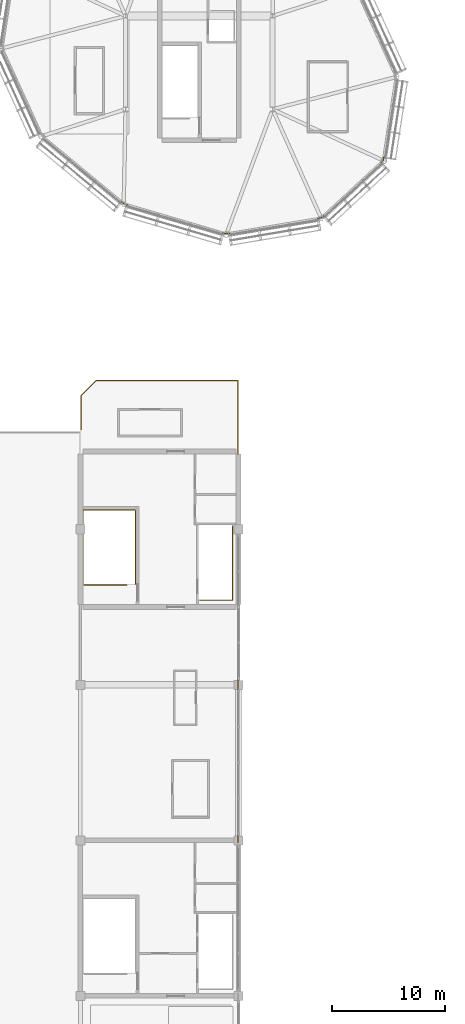
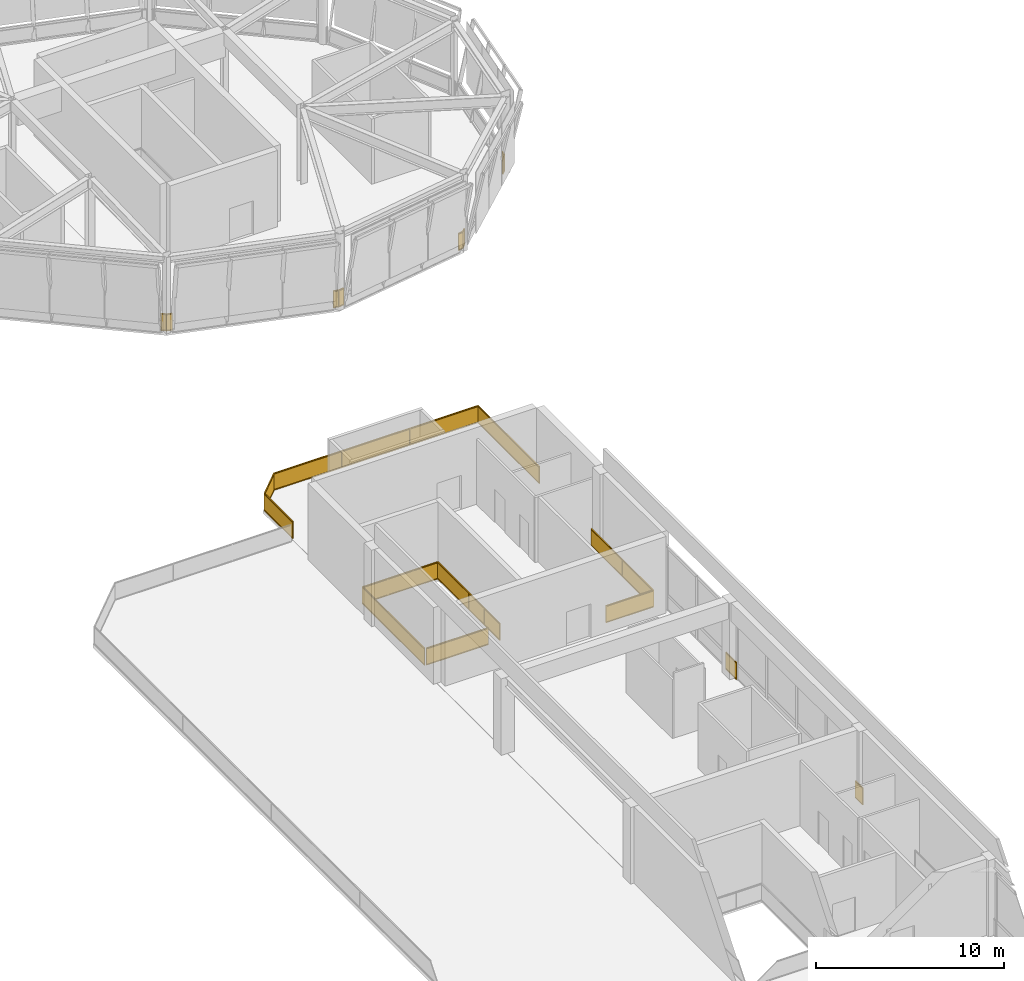
# One storey, part 108 of 113: 11 railings.
"""IFC4 building model written with IfcOpenShell, lengths in metres."""

from ifc_helpers import new_model, si_unit, direction, frame, origin, origin_2d, place, context, subcontext, project, spatial, rectangle, extrude, material, type_object, element, save


model = new_model("IFC4")

# Units and contexts
model_context = context("Model", 3, precision=1e-05, world=origin(), true_north=direction((0.0, 1.0)))
body_context = subcontext(model_context, "Body", "Model", "MODEL_VIEW")
ifc_project = project(units=[si_unit("LENGTHUNIT", "METRE"), si_unit("AREAUNIT", "SQUARE_METRE"), si_unit("VOLUMEUNIT", "CUBIC_METRE"), si_unit("PLANEANGLEUNIT", "RADIAN"), si_unit("MASSUNIT", "GRAM", prefix="KILO")], contexts=[model_context])

# Site, building, storey
site_placement = place(None, origin())
site = spatial("IfcSite", under=ifc_project, at=site_placement, CompositionType="ELEMENT")
building_placement = place(site_placement, origin())
building = spatial("IfcBuilding", under=site, at=building_placement, Name="Linyun Crest Stadium", CompositionType="ELEMENT")
storey_placement = place(building_placement, frame((0.0, 0.0, 26.39990234375)))
storey = spatial("IfcBuildingStorey", under=building, at=storey_placement, Name="L06", CompositionType="ELEMENT", Elevation=26.39990234375)

# Railings
ifc_material_1 = material(Name="Galvanized and powder-coated steel bowl safety barrier", Category="steel")
railing_type_1 = type_object("IfcRailingType", Name="GR02", PredefinedType="GUARDRAIL", material=ifc_material_1)
railing_1_placement = place(storey_placement, frame((-83.93994140625, 52.160888671875, 0.0)))
element("IfcRailing", 1, at=railing_1_placement, inside=storey, type_object=railing_type_1, Name="Slab edge balustrade GR02 88", PredefinedType="GUARDRAIL", context=body_context, shape_type="SweptSolid", body=[
    extrude(rectangle(XDim=0.06005859375, YDim=0.06005859375, at=origin_2d()), frame((0.0, 0.0, 1.090087890625), z_axis=(0.0, 1.0, 0.0), x_axis=(-1.0, 0.0, 0.0)), (0.0, 0.0, 1.0), 2.9990234375),
    extrude(rectangle(XDim=0.030029296875, YDim=1.0, at=origin_2d()), frame((0.0, 0.0, 0.56005859375), z_axis=(0.0, 1.0, 0.0), x_axis=(-1.0, 0.0, 0.0)), (0.0, 0.0, 1.0), 2.9990234375),
    extrude(rectangle(XDim=0.06005859375, YDim=0.06005859375, at=origin_2d()), frame((0.0, 0.0, 0.030029296875), z_axis=(0.0, 1.0, 0.0), x_axis=(-1.0, 0.0, 0.0)), (0.0, 0.0, 1.0), 2.9990234375),
    extrude(rectangle(XDim=0.06005859375, YDim=0.06005859375, at=origin_2d()), frame((0.0, 2.9990234375, 1.090087890625), z_axis=(0.707106781187, 0.707106781187, 0.0), x_axis=(-0.707106781187, 0.707106781187, 0.0)), (0.0, 0.0, 1.0), 1.930419921875),
    extrude(rectangle(XDim=0.030029296875, YDim=1.0, at=origin_2d()), frame((0.0, 2.9990234375, 0.56005859375), z_axis=(0.707106781187, 0.707106781187, 0.0), x_axis=(-0.707106781187, 0.707106781187, 0.0)), (0.0, 0.0, 1.0), 1.930419921875),
    extrude(rectangle(XDim=0.06005859375, YDim=0.06005859375, at=origin_2d()), frame((0.0, 2.9990234375, 0.030029296875), z_axis=(0.707106781187, 0.707106781187, 0.0), x_axis=(-0.707106781187, 0.707106781187, 0.0)), (0.0, 0.0, 1.0), 1.930419921875),
    extrude(rectangle(XDim=0.06005859375, YDim=0.06005859375, at=origin_2d()), frame((1.364990234375, 4.364013671875, 1.090087890625), z_axis=(1.0, 0.0, 0.0), x_axis=(0.0, 1.0, 0.0)), (0.0, 0.0, 1.0), 12.514892578125),
    extrude(rectangle(XDim=0.030029296875, YDim=1.0, at=origin_2d()), frame((1.364990234375, 4.364013671875, 0.56005859375), z_axis=(1.0, 0.0, 0.0), x_axis=(0.0, 1.0, 0.0)), (0.0, 0.0, 1.0), 12.514892578125),
    extrude(rectangle(XDim=0.06005859375, YDim=0.06005859375, at=origin_2d()), frame((1.364990234375, 4.364013671875, 0.030029296875), z_axis=(1.0, 0.0, 0.0), x_axis=(0.0, 1.0, 0.0)), (0.0, 0.0, 1.0), 12.514892578125),
    extrude(rectangle(XDim=0.06005859375, YDim=0.06005859375, at=origin_2d()), frame((13.8798828125, 4.364013671875, 1.090087890625), z_axis=(0.0, -1.0, 0.0), x_axis=(1.0, 0.0, 0.0)), (0.0, 0.0, 1.0), 6.5),
    extrude(rectangle(XDim=0.030029296875, YDim=1.0, at=origin_2d()), frame((13.8798828125, 4.364013671875, 0.56005859375), z_axis=(0.0, -1.0, 0.0), x_axis=(1.0, 0.0, 0.0)), (0.0, 0.0, 1.0), 6.5),
    extrude(rectangle(XDim=0.06005859375, YDim=0.06005859375, at=origin_2d()), frame((13.8798828125, 4.364013671875, 0.030029296875), z_axis=(0.0, -1.0, 0.0), x_axis=(1.0, 0.0, 0.0)), (0.0, 0.0, 1.0), 6.5),
    extrude(rectangle(XDim=0.050048828125, YDim=0.050048828125, at=origin_2d()), origin(), (0.0, 0.0, 1.0), 1.1201171875),
    extrude(rectangle(XDim=0.050048828125, YDim=0.050048828125, at=origin_2d()), frame((0.0, 2.9990234375, 0.0)), (0.0, 0.0, 1.0), 1.1201171875),
    extrude(rectangle(XDim=0.050048828125, YDim=0.050048828125, at=origin_2d()), frame((1.364990234375, 4.364013671875, 0.0)), (0.0, 0.0, 1.0), 1.1201171875),
    extrude(rectangle(XDim=0.050048828125, YDim=0.050048828125, at=origin_2d()), frame((5.53662109375, 4.364013671875, 0.0)), (0.0, 0.0, 1.0), 1.1201171875),
    extrude(rectangle(XDim=0.050048828125, YDim=0.050048828125, at=origin_2d()), frame((9.708251953125, 4.364013671875, 0.0)), (0.0, 0.0, 1.0), 1.1201171875),
    extrude(rectangle(XDim=0.050048828125, YDim=0.050048828125, at=origin_2d()), frame((13.8798828125, 4.364013671875, 0.0)), (0.0, 0.0, 1.0), 1.1201171875),
    extrude(rectangle(XDim=0.050048828125, YDim=0.050048828125, at=origin_2d()), frame((13.8798828125, 1.114013671875, 0.0)), (0.0, 0.0, 1.0), 1.1201171875),
    extrude(rectangle(XDim=0.050048828125, YDim=0.050048828125, at=origin_2d()), frame((13.8798828125, -2.135986328125, 0.0)), (0.0, 0.0, 1.0), 1.1201171875),
])
railing_2_placement = place(storey_placement, frame((-70.06005859375, 30.175048828125, 0.0)))
element("IfcRailing", 2, at=railing_2_placement, inside=storey, type_object=railing_type_1, Name="Slab edge balustrade GR02 89", PredefinedType="GUARDRAIL", context=body_context, shape_type="SweptSolid", body=[
    extrude(rectangle(XDim=0.06005859375, YDim=0.06005859375, at=origin_2d()), frame((0.0, 0.0, 1.090087890625), z_axis=(0.0, -1.0, 0.0), x_axis=(1.0, 0.0, 0.0)), (0.0, 0.0, 1.0), 1.10009765625),
    extrude(rectangle(XDim=0.030029296875, YDim=1.0, at=origin_2d()), frame((0.0, 0.0, 0.56005859375), z_axis=(0.0, -1.0, 0.0), x_axis=(1.0, 0.0, 0.0)), (0.0, 0.0, 1.0), 1.10009765625),
    extrude(rectangle(XDim=0.06005859375, YDim=0.06005859375, at=origin_2d()), frame((0.0, 0.0, 0.030029296875), z_axis=(0.0, -1.0, 0.0), x_axis=(1.0, 0.0, 0.0)), (0.0, 0.0, 1.0), 1.10009765625),
    extrude(rectangle(XDim=0.050048828125, YDim=0.050048828125, at=origin_2d()), origin(), (0.0, 0.0, 1.0), 1.1201171875),
    extrude(rectangle(XDim=0.050048828125, YDim=0.050048828125, at=origin_2d()), frame((0.0, -1.10009765625, 0.0)), (0.0, 0.0, 1.0), 1.1201171875),
])
railing_3_placement = place(storey_placement, frame((-70.06005859375, 16.425048828125, 0.0)))
element("IfcRailing", 3, at=railing_3_placement, inside=storey, type_object=railing_type_1, Name="Slab edge balustrade GR02 90", PredefinedType="GUARDRAIL", context=body_context, shape_type="SweptSolid", body=[
    extrude(rectangle(XDim=0.06005859375, YDim=0.06005859375, at=origin_2d()), frame((0.0, 0.0, 1.090087890625), z_axis=(0.0, -1.0, 0.0), x_axis=(1.0, 0.0, 0.0)), (0.0, 0.0, 1.0), 0.75),
    extrude(rectangle(XDim=0.030029296875, YDim=1.0, at=origin_2d()), frame((0.0, 0.0, 0.56005859375), z_axis=(0.0, -1.0, 0.0), x_axis=(1.0, 0.0, 0.0)), (0.0, 0.0, 1.0), 0.75),
    extrude(rectangle(XDim=0.06005859375, YDim=0.06005859375, at=origin_2d()), frame((0.0, 0.0, 0.030029296875), z_axis=(0.0, -1.0, 0.0), x_axis=(1.0, 0.0, 0.0)), (0.0, 0.0, 1.0), 0.75),
    extrude(rectangle(XDim=0.050048828125, YDim=0.050048828125, at=origin_2d()), origin(), (0.0, 0.0, 1.0), 1.1201171875),
    extrude(rectangle(XDim=0.050048828125, YDim=0.050048828125, at=origin_2d()), frame((0.0, -0.75, 0.0)), (0.0, 0.0, 1.0), 1.1201171875),
])
railing_4_placement = place(storey_placement, frame((-73.419921875, 37.090087890625, 0.0)))
element("IfcRailing", 4, at=railing_4_placement, inside=storey, type_object=railing_type_1, Name="Slab edge balustrade GR02 94", PredefinedType="GUARDRAIL", context=body_context, shape_type="SweptSolid", body=[
    extrude(rectangle(XDim=0.06005859375, YDim=0.06005859375, at=origin_2d()), frame((0.0, 0.0, 1.090087890625), z_axis=(1.0, 0.0, 0.0), x_axis=(0.0, 1.0, 0.0)), (0.0, 0.0, 1.0), 2.8798828125),
    extrude(rectangle(XDim=0.030029296875, YDim=1.0, at=origin_2d()), frame((0.0, 0.0, 0.56005859375), z_axis=(1.0, 0.0, 0.0), x_axis=(0.0, 1.0, 0.0)), (0.0, 0.0, 1.0), 2.8798828125),
    extrude(rectangle(XDim=0.06005859375, YDim=0.06005859375, at=origin_2d()), frame((0.0, 0.0, 0.030029296875), z_axis=(1.0, 0.0, 0.0), x_axis=(0.0, 1.0, 0.0)), (0.0, 0.0, 1.0), 2.8798828125),
    extrude(rectangle(XDim=0.06005859375, YDim=0.06005859375, at=origin_2d()), frame((2.8798828125, 0.0, 1.090087890625), z_axis=(0.0, 1.0, 0.0), x_axis=(-1.0, 0.0, 0.0)), (0.0, 0.0, 1.0), 6.5498046875),
    extrude(rectangle(XDim=0.030029296875, YDim=1.0, at=origin_2d()), frame((2.8798828125, 0.0, 0.56005859375), z_axis=(0.0, 1.0, 0.0), x_axis=(-1.0, 0.0, 0.0)), (0.0, 0.0, 1.0), 6.5498046875),
    extrude(rectangle(XDim=0.06005859375, YDim=0.06005859375, at=origin_2d()), frame((2.8798828125, 0.0, 0.030029296875), z_axis=(0.0, 1.0, 0.0), x_axis=(-1.0, 0.0, 0.0)), (0.0, 0.0, 1.0), 6.5498046875),
    extrude(rectangle(XDim=0.050048828125, YDim=0.050048828125, at=origin_2d()), origin(), (0.0, 0.0, 1.0), 1.1201171875),
    extrude(rectangle(XDim=0.050048828125, YDim=0.050048828125, at=origin_2d()), frame((2.8798828125, 0.0, 0.0)), (0.0, 0.0, 1.0), 1.1201171875),
    extrude(rectangle(XDim=0.050048828125, YDim=0.050048828125, at=origin_2d()), frame((2.8798828125, 3.27490234375, 0.0)), (0.0, 0.0, 1.0), 1.1201171875),
    extrude(rectangle(XDim=0.050048828125, YDim=0.050048828125, at=origin_2d()), frame((2.8798828125, 6.5498046875, 0.0)), (0.0, 0.0, 1.0), 1.1201171875),
])
railing_5_placement = place(storey_placement, frame((-83.635009765625, 38.4599609375, 0.0)))
element("IfcRailing", 5, at=railing_5_placement, inside=storey, type_object=railing_type_1, Name="Slab edge balustrade GR02 96", PredefinedType="GUARDRAIL", context=body_context, shape_type="SweptSolid", body=[
    extrude(rectangle(XDim=0.06005859375, YDim=0.06005859375, at=origin_2d()), frame((0.0, 0.0, 1.090087890625), z_axis=(1.0, 0.0, 0.0), x_axis=(0.0, 1.0, 0.0)), (0.0, 0.0, 1.0), 3.735107421875),
    extrude(rectangle(XDim=0.030029296875, YDim=1.0, at=origin_2d()), frame((0.0, 0.0, 0.56005859375), z_axis=(1.0, 0.0, 0.0), x_axis=(0.0, 1.0, 0.0)), (0.0, 0.0, 1.0), 3.735107421875),
    extrude(rectangle(XDim=0.06005859375, YDim=0.06005859375, at=origin_2d()), frame((0.0, 0.0, 0.030029296875), z_axis=(1.0, 0.0, 0.0), x_axis=(0.0, 1.0, 0.0)), (0.0, 0.0, 1.0), 3.735107421875),
    extrude(rectangle(XDim=0.050048828125, YDim=0.050048828125, at=origin_2d()), origin(), (0.0, 0.0, 1.0), 1.1201171875),
    extrude(rectangle(XDim=0.050048828125, YDim=0.050048828125, at=origin_2d()), frame((3.735107421875, 0.0, 0.0)), (0.0, 0.0, 1.0), 1.1201171875),
])
railing_6_placement = place(storey_placement, frame((-57.220947265625, 75.969970703125, 0.0)))
element("IfcRailing", 6, at=railing_6_placement, inside=storey, type_object=railing_type_1, Name="Slab edge balustrade GR02 316", PredefinedType="GUARDRAIL", context=body_context, shape_type="SweptSolid", body=[
    extrude(rectangle(XDim=0.06005859375, YDim=0.06005859375, at=origin_2d()), frame((0.0, 0.0, 1.090087890625), z_axis=(-0.733663907779, -0.67951252411, 0.0), x_axis=(0.67951252411, -0.733663907779, 0.0)), (0.0, 0.0, 1.0), 0.279541015625),
    extrude(rectangle(XDim=0.030029296875, YDim=1.0, at=origin_2d()), frame((0.0, 0.0, 0.56005859375), z_axis=(-0.733663907779, -0.67951252411, 0.0), x_axis=(0.67951252411, -0.733663907779, 0.0)), (0.0, 0.0, 1.0), 0.279541015625),
    extrude(rectangle(XDim=0.06005859375, YDim=0.06005859375, at=origin_2d()), frame((0.0, 0.0, 0.030029296875), z_axis=(-0.733663907779, -0.67951252411, 0.0), x_axis=(0.67951252411, -0.733663907779, 0.0)), (0.0, 0.0, 1.0), 0.279541015625),
    extrude(rectangle(XDim=0.050048828125, YDim=0.050048828125, at=origin_2d()), origin(), (0.0, 0.0, 1.0), 1.1201171875),
    extrude(rectangle(XDim=0.050048828125, YDim=0.050048828125, at=origin_2d()), frame((-0.205078125, -0.18994140625, 0.0)), (0.0, 0.0, 1.0), 1.1201171875),
])
railing_7_placement = place(storey_placement, frame((-62.507080078125, 71.08203125, 0.0)))
element("IfcRailing", 7, at=railing_7_placement, inside=storey, type_object=railing_type_1, Name="Slab edge balustrade GR02 317", PredefinedType="GUARDRAIL", context=body_context, shape_type="SweptSolid", body=[
    extrude(rectangle(XDim=0.06005859375, YDim=0.06005859375, at=origin_2d()), frame((0.0, 0.0, 1.090087890625), z_axis=(-0.734572019785, -0.678530727196, 0.0), x_axis=(0.678530727196, -0.734572019785, 0.0)), (0.0, 0.0, 1.0), 0.283203125),
    extrude(rectangle(XDim=0.030029296875, YDim=1.0, at=origin_2d()), frame((0.0, 0.0, 0.56005859375), z_axis=(-0.734572019785, -0.678530727196, 0.0), x_axis=(0.678530727196, -0.734572019785, 0.0)), (0.0, 0.0, 1.0), 0.283203125),
    extrude(rectangle(XDim=0.06005859375, YDim=0.06005859375, at=origin_2d()), frame((0.0, 0.0, 0.030029296875), z_axis=(-0.734572019785, -0.678530727196, 0.0), x_axis=(0.678530727196, -0.734572019785, 0.0)), (0.0, 0.0, 1.0), 0.283203125),
    extrude(rectangle(XDim=0.06005859375, YDim=0.06005859375, at=origin_2d()), frame((-0.2080078125, -0.192138671875, 1.090087890625), z_axis=(-0.986627241764, -0.1629929011, 0.0), x_axis=(0.1629929011, -0.986627241764, 0.0)), (0.0, 0.0, 1.0), 0.281494140625),
    extrude(rectangle(XDim=0.030029296875, YDim=1.0, at=origin_2d()), frame((-0.2080078125, -0.192138671875, 0.56005859375), z_axis=(-0.986627241764, -0.1629929011, 0.0), x_axis=(0.1629929011, -0.986627241764, 0.0)), (0.0, 0.0, 1.0), 0.281494140625),
    extrude(rectangle(XDim=0.06005859375, YDim=0.06005859375, at=origin_2d()), frame((-0.2080078125, -0.192138671875, 0.030029296875), z_axis=(-0.986627241764, -0.1629929011, 0.0), x_axis=(0.1629929011, -0.986627241764, 0.0)), (0.0, 0.0, 1.0), 0.281494140625),
    extrude(rectangle(XDim=0.050048828125, YDim=0.050048828125, at=origin_2d()), origin(), (0.0, 0.0, 1.0), 1.1201171875),
    extrude(rectangle(XDim=0.050048828125, YDim=0.050048828125, at=origin_2d()), frame((-0.2080078125, -0.192138671875, 0.0)), (0.0, 0.0, 1.0), 1.1201171875),
    extrude(rectangle(XDim=0.050048828125, YDim=0.050048828125, at=origin_2d()), frame((-0.48583984375, -0.238037109375, 0.0)), (0.0, 0.0, 1.0), 1.1201171875),
])
railing_8_placement = place(storey_placement, frame((-70.820068359375, 69.532958984375, 0.0)))
element("IfcRailing", 8, at=railing_8_placement, inside=storey, type_object=railing_type_1, Name="Slab edge balustrade GR02 318", PredefinedType="GUARDRAIL", context=body_context, shape_type="SweptSolid", body=[
    extrude(rectangle(XDim=0.06005859375, YDim=0.06005859375, at=origin_2d()), frame((0.0, 0.0, 1.090087890625), z_axis=(-0.985905166387, -0.167305119144, 0.0), x_axis=(0.167305119144, -0.985905166387, 0.0)), (0.0, 0.0, 1.0), 0.2861328125),
    extrude(rectangle(XDim=0.030029296875, YDim=1.0, at=origin_2d()), frame((0.0, 0.0, 0.56005859375), z_axis=(-0.985905166387, -0.167305119144, 0.0), x_axis=(0.167305119144, -0.985905166387, 0.0)), (0.0, 0.0, 1.0), 0.2861328125),
    extrude(rectangle(XDim=0.06005859375, YDim=0.06005859375, at=origin_2d()), frame((0.0, 0.0, 0.030029296875), z_axis=(-0.985905166387, -0.167305119144, 0.0), x_axis=(0.167305119144, -0.985905166387, 0.0)), (0.0, 0.0, 1.0), 0.2861328125),
    extrude(rectangle(XDim=0.06005859375, YDim=0.06005859375, at=origin_2d()), frame((-0.281982421875, -0.0478515625, 1.090087890625), z_axis=(-0.959406194526, 0.282027931073, 0.0), x_axis=(-0.282027931073, -0.959406194526, 0.0)), (0.0, 0.0, 1.0), 0.28662109375),
    extrude(rectangle(XDim=0.030029296875, YDim=1.0, at=origin_2d()), frame((-0.281982421875, -0.0478515625, 0.56005859375), z_axis=(-0.959406194526, 0.282027931073, 0.0), x_axis=(-0.282027931073, -0.959406194526, 0.0)), (0.0, 0.0, 1.0), 0.28662109375),
    extrude(rectangle(XDim=0.06005859375, YDim=0.06005859375, at=origin_2d()), frame((-0.281982421875, -0.0478515625, 0.030029296875), z_axis=(-0.959406194526, 0.282027931073, 0.0), x_axis=(-0.282027931073, -0.959406194526, 0.0)), (0.0, 0.0, 1.0), 0.28662109375),
    extrude(rectangle(XDim=0.050048828125, YDim=0.050048828125, at=origin_2d()), origin(), (0.0, 0.0, 1.0), 1.1201171875),
    extrude(rectangle(XDim=0.050048828125, YDim=0.050048828125, at=origin_2d()), frame((-0.281982421875, -0.0478515625, 0.0)), (0.0, 0.0, 1.0), 1.1201171875),
    extrude(rectangle(XDim=0.050048828125, YDim=0.050048828125, at=origin_2d()), frame((-0.556884765625, 0.032958984375, 0.0)), (0.0, 0.0, 1.0), 1.1201171875),
])
railing_9_placement = place(storey_placement, frame((-79.861083984375, 72.06005859375, 0.0)))
element("IfcRailing", 9, at=railing_9_placement, inside=storey, type_object=railing_type_1, Name="Slab edge balustrade GR02 319", PredefinedType="GUARDRAIL", context=body_context, shape_type="SweptSolid", body=[
    extrude(rectangle(XDim=0.06005859375, YDim=0.06005859375, at=origin_2d()), frame((0.0, 0.0, 1.090087890625), z_axis=(-0.959446583049, 0.281890500506, 0.0), x_axis=(-0.281890500506, -0.959446583049, 0.0)), (0.0, 0.0, 1.0), 0.28759765625),
    extrude(rectangle(XDim=0.030029296875, YDim=1.0, at=origin_2d()), frame((0.0, 0.0, 0.56005859375), z_axis=(-0.959446583049, 0.281890500506, 0.0), x_axis=(-0.281890500506, -0.959446583049, 0.0)), (0.0, 0.0, 1.0), 0.28759765625),
    extrude(rectangle(XDim=0.06005859375, YDim=0.06005859375, at=origin_2d()), frame((0.0, 0.0, 0.030029296875), z_axis=(-0.959446583049, 0.281890500506, 0.0), x_axis=(-0.281890500506, -0.959446583049, 0.0)), (0.0, 0.0, 1.0), 0.28759765625),
    extrude(rectangle(XDim=0.06005859375, YDim=0.06005859375, at=origin_2d()), frame((-0.27587890625, 0.0810546875, 1.090087890625), z_axis=(-0.771758653069, 0.635915545818, 0.0), x_axis=(-0.635915545818, -0.771758653069, 0.0)), (0.0, 0.0, 1.0), 0.28759765625),
    extrude(rectangle(XDim=0.030029296875, YDim=1.0, at=origin_2d()), frame((-0.27587890625, 0.0810546875, 0.56005859375), z_axis=(-0.771758653069, 0.635915545818, 0.0), x_axis=(-0.635915545818, -0.771758653069, 0.0)), (0.0, 0.0, 1.0), 0.28759765625),
    extrude(rectangle(XDim=0.06005859375, YDim=0.06005859375, at=origin_2d()), frame((-0.27587890625, 0.0810546875, 0.030029296875), z_axis=(-0.771758653069, 0.635915545818, 0.0), x_axis=(-0.635915545818, -0.771758653069, 0.0)), (0.0, 0.0, 1.0), 0.28759765625),
    extrude(rectangle(XDim=0.050048828125, YDim=0.050048828125, at=origin_2d()), origin(), (0.0, 0.0, 1.0), 1.1201171875),
    extrude(rectangle(XDim=0.050048828125, YDim=0.050048828125, at=origin_2d()), frame((-0.27587890625, 0.0810546875, 0.0)), (0.0, 0.0, 1.0), 1.1201171875),
    extrude(rectangle(XDim=0.050048828125, YDim=0.050048828125, at=origin_2d()), frame((-0.497802734375, 0.263916015625, 0.0)), (0.0, 0.0, 1.0), 1.1201171875),
])
railing_10_placement = place(storey_placement, frame((-57.178955078125, 76.24609375, 0.0)))
element("IfcRailing", 10, at=railing_10_placement, inside=storey, type_object=railing_type_1, Name="Slab edge balustrade GR02 328", PredefinedType="GUARDRAIL", context=body_context, shape_type="SweptSolid", body=[
    extrude(rectangle(XDim=0.06005859375, YDim=0.06005859375, at=origin_2d()), frame((0.0, 0.0, 1.090087890625), z_axis=(-0.150349133385, -0.988632964295, 0.0), x_axis=(0.988632964295, -0.150349133385, 0.0)), (0.0, 0.0, 1.0), 0.279296875),
    extrude(rectangle(XDim=0.030029296875, YDim=1.0, at=origin_2d()), frame((0.0, 0.0, 0.56005859375), z_axis=(-0.150349133385, -0.988632964295, 0.0), x_axis=(0.988632964295, -0.150349133385, 0.0)), (0.0, 0.0, 1.0), 0.279296875),
    extrude(rectangle(XDim=0.06005859375, YDim=0.06005859375, at=origin_2d()), frame((0.0, 0.0, 0.030029296875), z_axis=(-0.150349133385, -0.988632964295, 0.0), x_axis=(0.988632964295, -0.150349133385, 0.0)), (0.0, 0.0, 1.0), 0.279296875),
    extrude(rectangle(XDim=0.050048828125, YDim=0.050048828125, at=origin_2d()), origin(), (0.0, 0.0, 1.0), 1.1201171875),
    extrude(rectangle(XDim=0.050048828125, YDim=0.050048828125, at=origin_2d()), frame((-0.0419921875, -0.276123046875, 0.0)), (0.0, 0.0, 1.0), 1.1201171875),
])
ifc_material_2 = material(Name="Painted steel stairwell safety guard", Category="steel")
railing_type_2 = type_object("IfcRailingType", Name="GR03", PredefinedType="GUARDRAIL", material=ifc_material_2)
railing_11_placement = place(storey_placement, frame((-83.7451171875, 38.5, 0.0)))
element("IfcRailing", 11, at=railing_11_placement, inside=storey, type_object=railing_type_2, Name="STR-03-L05 top well guard", PredefinedType="GUARDRAIL", context=body_context, shape_type="SweptSolid", body=[
    extrude(rectangle(XDim=0.06005859375, YDim=0.06005859375, at=origin_2d()), frame((0.0, 0.0, 1.090087890625), z_axis=(0.0, 1.0, 0.0), x_axis=(-1.0, 0.0, 0.0)), (0.0, 0.0, 1.0), 6.570068359375),
    extrude(rectangle(XDim=0.030029296875, YDim=1.0, at=origin_2d()), frame((0.0, 0.0, 0.56005859375), z_axis=(0.0, 1.0, 0.0), x_axis=(-1.0, 0.0, 0.0)), (0.0, 0.0, 1.0), 6.570068359375),
    extrude(rectangle(XDim=0.06005859375, YDim=0.06005859375, at=origin_2d()), frame((0.0, 0.0, 0.030029296875), z_axis=(0.0, 1.0, 0.0), x_axis=(-1.0, 0.0, 0.0)), (0.0, 0.0, 1.0), 6.570068359375),
    extrude(rectangle(XDim=0.06005859375, YDim=0.06005859375, at=origin_2d()), frame((0.0, 6.570068359375, 1.090087890625), z_axis=(1.0, 0.0, 0.0), x_axis=(0.0, 1.0, 0.0)), (0.0, 0.0, 1.0), 4.615234375),
    extrude(rectangle(XDim=0.030029296875, YDim=1.0, at=origin_2d()), frame((0.0, 6.570068359375, 0.56005859375), z_axis=(1.0, 0.0, 0.0), x_axis=(0.0, 1.0, 0.0)), (0.0, 0.0, 1.0), 4.615234375),
    extrude(rectangle(XDim=0.06005859375, YDim=0.06005859375, at=origin_2d()), frame((0.0, 6.570068359375, 0.030029296875), z_axis=(1.0, 0.0, 0.0), x_axis=(0.0, 1.0, 0.0)), (0.0, 0.0, 1.0), 4.615234375),
    extrude(rectangle(XDim=0.06005859375, YDim=0.06005859375, at=origin_2d()), frame((4.615234375, 6.570068359375, 1.090087890625), z_axis=(0.0, -1.0, 0.0), x_axis=(1.0, 0.0, 0.0)), (0.0, 0.0, 1.0), 6.570068359375),
    extrude(rectangle(XDim=0.030029296875, YDim=1.0, at=origin_2d()), frame((4.615234375, 6.570068359375, 0.56005859375), z_axis=(0.0, -1.0, 0.0), x_axis=(1.0, 0.0, 0.0)), (0.0, 0.0, 1.0), 6.570068359375),
    extrude(rectangle(XDim=0.06005859375, YDim=0.06005859375, at=origin_2d()), frame((4.615234375, 6.570068359375, 0.030029296875), z_axis=(0.0, -1.0, 0.0), x_axis=(1.0, 0.0, 0.0)), (0.0, 0.0, 1.0), 6.570068359375),
    extrude(rectangle(XDim=0.050048828125, YDim=0.050048828125, at=origin_2d()), origin(), (0.0, 0.0, 1.0), 1.1201171875),
    extrude(rectangle(XDim=0.050048828125, YDim=0.050048828125, at=origin_2d()), frame((0.0, 1.642578125, 0.0)), (0.0, 0.0, 1.0), 1.1201171875),
    extrude(rectangle(XDim=0.050048828125, YDim=0.050048828125, at=origin_2d()), frame((0.0, 3.28515625, 0.0)), (0.0, 0.0, 1.0), 1.1201171875),
    extrude(rectangle(XDim=0.050048828125, YDim=0.050048828125, at=origin_2d()), frame((0.0, 4.927490234375, 0.0)), (0.0, 0.0, 1.0), 1.1201171875),
    extrude(rectangle(XDim=0.050048828125, YDim=0.050048828125, at=origin_2d()), frame((0.0, 6.570068359375, 0.0)), (0.0, 0.0, 1.0), 1.1201171875),
    extrude(rectangle(XDim=0.050048828125, YDim=0.050048828125, at=origin_2d()), frame((1.538330078125, 6.570068359375, 0.0)), (0.0, 0.0, 1.0), 1.1201171875),
    extrude(rectangle(XDim=0.050048828125, YDim=0.050048828125, at=origin_2d()), frame((3.076904296875, 6.570068359375, 0.0)), (0.0, 0.0, 1.0), 1.1201171875),
    extrude(rectangle(XDim=0.050048828125, YDim=0.050048828125, at=origin_2d()), frame((4.615234375, 6.570068359375, 0.0)), (0.0, 0.0, 1.0), 1.1201171875),
    extrude(rectangle(XDim=0.050048828125, YDim=0.050048828125, at=origin_2d()), frame((4.615234375, 4.927490234375, 0.0)), (0.0, 0.0, 1.0), 1.1201171875),
    extrude(rectangle(XDim=0.050048828125, YDim=0.050048828125, at=origin_2d()), frame((4.615234375, 3.28515625, 0.0)), (0.0, 0.0, 1.0), 1.1201171875),
    extrude(rectangle(XDim=0.050048828125, YDim=0.050048828125, at=origin_2d()), frame((4.615234375, 1.642578125, 0.0)), (0.0, 0.0, 1.0), 1.1201171875),
    extrude(rectangle(XDim=0.050048828125, YDim=0.050048828125, at=origin_2d()), frame((4.615234375, 0.0, 0.0)), (0.0, 0.0, 1.0), 1.1201171875),
])

save(model, "model.ifc")
